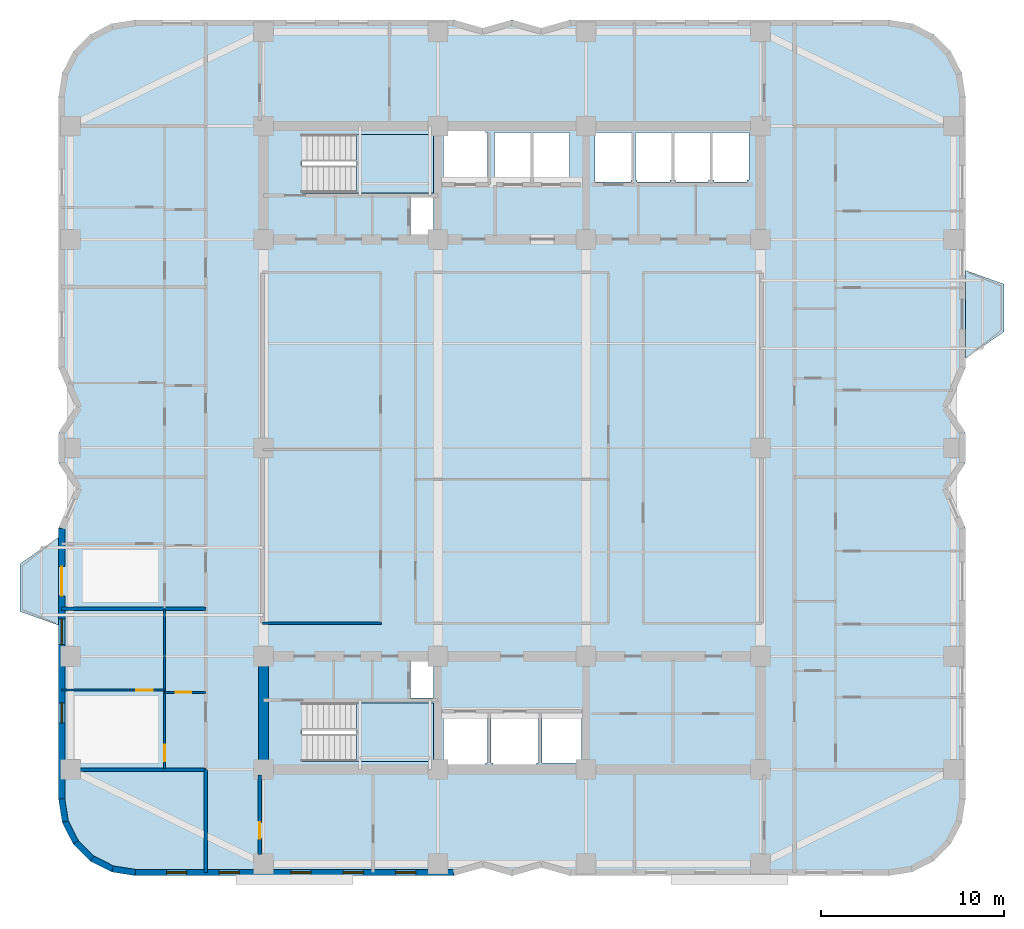
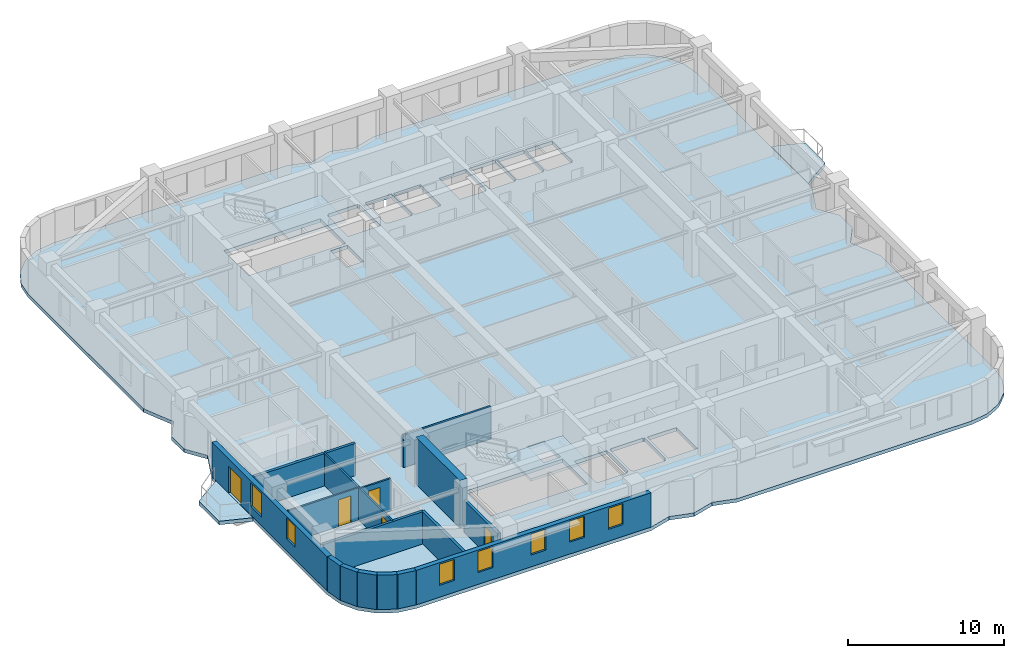
# One storey, part 2 of 10: 16 walls, 7 windows, 5 doors, 5 slabs, 12 openings, 2 elements without a shape of their own.
"""IFC4 building model written with IfcOpenShell, lengths in metres."""

from ifc_helpers import new_model, si_unit, direction, frame, frame_2d, origin, place, context, subcontext, project, spatial, polyline, rectangle, outline, extrude, material, layer, layer_set, type_object, element, fill, aggregate, save


model = new_model("IFC4")

# Units and contexts
model_context = context("Model", 3, precision=1e-05, world=origin(), true_north=direction((0.0, 1.0)))
body_context = subcontext(model_context, "Body", "Model", "MODEL_VIEW")
ifc_project = project(units=[si_unit("LENGTHUNIT", "METRE"), si_unit("AREAUNIT", "SQUARE_METRE"), si_unit("VOLUMEUNIT", "CUBIC_METRE"), si_unit("PLANEANGLEUNIT", "RADIAN"), si_unit("MASSUNIT", "GRAM", prefix="KILO")], contexts=[model_context])

# Site, building, storey
site_placement = place(None, origin())
site = spatial("IfcSite", under=ifc_project, at=site_placement, CompositionType="ELEMENT")
building_placement = place(site_placement, origin())
building = spatial("IfcBuilding", under=site, at=building_placement, Name="Svetorya Sky Lyceum", CompositionType="ELEMENT")
storey_placement = place(building_placement, frame((0.0, 0.0, 95.699951171875)))
storey = spatial("IfcBuildingStorey", under=building, at=storey_placement, Name="L23", CompositionType="ELEMENT", Elevation=95.699951171875)

# Slabs
ifc_material_1 = material(Name="Concrete C40/50", Category="concrete")
ifc_layer_1 = layer(ifc_material_1, 0.280029296875)
ifc_layer_set_1 = layer_set([ifc_layer_1], Name="Concrete C40/50")
slab_type_1 = type_object("IfcSlabType", Name="SL-BAL-280", PredefinedType="FLOOR", material=ifc_layer_set_1)
slab_1_placement = place(storey_placement, frame((0.0, 0.0, -0.280029296875)))
element("IfcSlab", 1, at=slab_1_placement, inside=storey, type_object=slab_type_1, Name="L23 Chamfered Loggia Balcony BAL-W1", PredefinedType="FLOOR", context=body_context, shape_type="SweptSolid", body=[
    extrude(outline(polyline([(14.389892578125, 18.5), (14.389892578125, 23.300048828125), (12.2900390625, 21.85009765625), (12.2900390625, 19.25), (14.389892578125, 18.5)])), origin(), (0.0, 0.0, 1.0), 0.280029296875),
])
slab_2_placement = place(storey_placement, frame((0.0, 0.0, -0.280029296875)))
element("IfcSlab", 2, at=slab_2_placement, inside=storey, type_object=slab_type_1, Name="L23 Chamfered Loggia Balcony BAL-E1", PredefinedType="FLOOR", context=body_context, shape_type="SweptSolid", body=[
    extrude(outline(polyline([(64.010009765625, 33.10009765625), (66.110107421875, 34.550048828125), (66.110107421875, 37.14990234375), (64.010009765625, 37.89990234375), (64.010009765625, 33.10009765625)])), origin(), (0.0, 0.0, 1.0), 0.280029296875),
])

# Stair, slab
stair_type_1 = type_object("IfcStairType", Name="STR-ST-S", PredefinedType="HALF_TURN_STAIR", material=ifc_material_1)
stair_1_placement = place(storey_placement, origin())
stair_1 = element("IfcStair", 3, at=stair_1_placement, inside=storey, type_object=stair_type_1, Name="L23 South Core Smoke-Free Exit Stair N2", PredefinedType="HALF_TURN_STAIR")
ifc_layer_2 = layer(ifc_material_1, 0.199951171875)
ifc_layer_set_2 = layer_set([ifc_layer_2], Name="Concrete C40/50")
slab_type_2 = type_object("IfcSlabType", Name="SL-STR-LAND-200", PredefinedType="LANDING", material=ifc_layer_set_2)
slab_3_placement = place(storey_placement, frame((0.0, 0.0, 1.650146484375)))
slab_3 = element("IfcSlab", 4, at=slab_3_placement, type_object=slab_type_2, Name="ST-S landing 1", PredefinedType="LANDING", context=body_context, shape_type="SweptSolid", body=[
    extrude(outline(polyline([(30.699951171875, 11.050048828125), (34.89990234375, 11.050048828125), (34.89990234375, 14.25), (30.699951171875, 14.25), (30.699951171875, 11.050048828125)])), origin(), (0.0, 0.0, 1.0), 0.199951171875),
])
aggregate(stair_1, [slab_3])

stair_type_2 = type_object("IfcStairType", Name="STR-ST-N", PredefinedType="HALF_TURN_STAIR", material=ifc_material_1)
stair_2_placement = place(storey_placement, origin())
stair_2 = element("IfcStair", 5, at=stair_2_placement, inside=storey, type_object=stair_type_2, Name="L23 North Core Smoke-Free Exit Stair N3", PredefinedType="HALF_TURN_STAIR")
slab_4_placement = place(storey_placement, frame((0.0, 0.0, 1.650146484375)))
slab_4 = element("IfcSlab", 6, at=slab_4_placement, type_object=slab_type_2, Name="ST-N landing 1", PredefinedType="LANDING", context=body_context, shape_type="SweptSolid", body=[
    extrude(outline(polyline([(30.699951171875, 42.14990234375), (34.89990234375, 42.14990234375), (34.89990234375, 45.35009765625), (30.699951171875, 45.35009765625), (30.699951171875, 42.14990234375)])), origin(), (0.0, 0.0, 1.0), 0.199951171875),
])
aggregate(stair_2, [slab_4])

# Slab
ifc_material_2 = material(Name="Concrete C50/60", Category="concrete")
ifc_layer_3 = layer(ifc_material_2, 0.280029296875)
ifc_layer_set_3 = layer_set([ifc_layer_3], Name="Concrete C50/60")
slab_type_3 = type_object("IfcSlabType", Name="SL-TWR-280", PredefinedType="FLOOR", material=ifc_layer_set_3)
slab_5_placement = place(storey_placement, frame((0.0, 0.0, -0.280029296875)))
element("IfcSlab", 7, at=slab_5_placement, inside=storey, type_object=slab_type_3, Name="L23 Structural Floor Slab", PredefinedType="FLOOR", context=body_context, shape_type="SweptSolid", body=[
    extrude(outline(polyline([(14.39990234375, 9.0), (14.605712890625, 7.7021484375), (15.2021484375, 6.53125), (16.13134765625, 5.60205078125), (17.302001953125, 5.005615234375), (18.60009765625, 4.800048828125), (36.0, 4.800048828125), (37.60009765625, 5.25), (39.199951171875, 4.800048828125), (40.800048828125, 5.25), (42.39990234375, 4.800048828125), (59.800048828125, 4.800048828125), (61.097900390625, 5.005615234375), (62.268798828125, 5.60205078125), (63.197998046875, 6.53125), (63.79443359375, 7.7021484375), (64.0, 9.0), (64.0, 23.800048828125), (63.050048828125, 26.0), (64.0, 27.39990234375), (64.0, 29.0), (63.050048828125, 30.39990234375), (64.0, 32.60009765625), (64.0, 47.39990234375), (63.79443359375, 48.697998046875), (63.197998046875, 49.86865234375), (62.268798828125, 50.7978515625), (61.097900390625, 51.394287109375), (59.800048828125, 51.60009765625), (42.39990234375, 51.60009765625), (40.800048828125, 51.14990234375), (39.199951171875, 51.60009765625), (37.60009765625, 51.14990234375), (36.0, 51.60009765625), (18.60009765625, 51.60009765625), (17.302001953125, 51.394287109375), (16.13134765625, 50.7978515625), (15.2021484375, 49.86865234375), (14.605712890625, 48.697998046875), (14.39990234375, 47.39990234375), (14.39990234375, 32.60009765625), (15.35009765625, 30.39990234375), (14.39990234375, 29.0), (14.39990234375, 27.39990234375), (15.35009765625, 26.0), (14.39990234375, 23.800048828125), (14.39990234375, 9.0)]), holes=[polyline([(37.85009765625, 10.949951171875), (37.75, 10.949951171875), (37.75, 10.85009765625), (35.550048828125, 10.85009765625), (35.550048828125, 10.949951171875), (35.449951171875, 10.949951171875), (35.449951171875, 13.64990234375), (35.550048828125, 13.64990234375), (37.75, 13.64990234375), (37.85009765625, 13.64990234375), (37.85009765625, 10.949951171875)]), polyline([(40.64990234375, 13.64990234375), (40.64990234375, 10.949951171875), (40.550048828125, 10.949951171875), (40.550048828125, 10.800048828125), (38.14990234375, 10.800048828125), (38.14990234375, 10.949951171875), (38.050048828125, 10.949951171875), (38.050048828125, 13.64990234375), (38.14990234375, 13.64990234375), (38.14990234375, 13.699951171875), (40.550048828125, 13.699951171875), (40.550048828125, 13.64990234375), (40.64990234375, 13.64990234375)]), polyline([(27.719970703125, 14.25), (34.89990234375, 14.25), (34.89990234375, 11.050048828125), (27.719970703125, 11.050048828125), (27.719970703125, 14.25)]), polyline([(33.64990234375, 14.52001953125), (33.64990234375, 16.580078125), (34.89990234375, 16.580078125), (34.89990234375, 14.52001953125), (33.64990234375, 14.52001953125)]), polyline([(33.64990234375, 41.89990234375), (34.89990234375, 41.89990234375), (34.89990234375, 39.820068359375), (33.64990234375, 39.820068359375), (33.64990234375, 41.89990234375)]), polyline([(27.719970703125, 45.35009765625), (34.89990234375, 45.35009765625), (34.89990234375, 42.14990234375), (27.719970703125, 42.14990234375), (27.719970703125, 45.35009765625)]), polyline([(37.75, 45.550048828125), (37.75, 45.449951171875), (37.85009765625, 45.449951171875), (37.85009765625, 42.75), (37.75, 42.75), (35.550048828125, 42.75), (35.449951171875, 42.75), (35.449951171875, 45.449951171875), (35.550048828125, 45.449951171875), (35.550048828125, 45.550048828125), (37.75, 45.550048828125)]), polyline([(38.39990234375, 42.85009765625), (38.25, 42.85009765625), (38.25, 45.449951171875), (38.39990234375, 45.449951171875), (40.199951171875, 45.449951171875), (40.25, 45.449951171875), (40.25, 42.85009765625), (40.199951171875, 42.85009765625), (40.199951171875, 42.75), (38.39990234375, 42.75), (38.39990234375, 42.85009765625)]), polyline([(40.85009765625, 13.64990234375), (43.0, 13.64990234375), (43.0, 10.949951171875), (40.85009765625, 10.949951171875), (40.85009765625, 13.64990234375)]), polyline([(40.39990234375, 42.85009765625), (40.35009765625, 42.85009765625), (40.35009765625, 45.449951171875), (40.39990234375, 45.449951171875), (42.300048828125, 45.449951171875), (42.35009765625, 45.449951171875), (42.35009765625, 42.85009765625), (42.300048828125, 42.85009765625), (42.300048828125, 42.75), (40.39990234375, 42.75), (40.39990234375, 42.85009765625)]), polyline([(43.75, 42.75), (43.75, 42.85009765625), (43.75, 45.449951171875), (45.699951171875, 45.449951171875), (45.75, 45.449951171875), (45.75, 42.85009765625), (45.699951171875, 42.85009765625), (45.699951171875, 42.75), (43.75, 42.75)]), polyline([(46.050048828125, 42.85009765625), (45.949951171875, 42.85009765625), (45.949951171875, 45.449951171875), (46.050048828125, 45.449951171875), (47.85009765625, 45.449951171875), (47.949951171875, 45.449951171875), (47.949951171875, 42.85009765625), (47.85009765625, 42.85009765625), (47.85009765625, 42.75), (46.050048828125, 42.75), (46.050048828125, 42.85009765625)]), polyline([(48.14990234375, 42.85009765625), (48.050048828125, 42.85009765625), (48.050048828125, 45.449951171875), (48.14990234375, 45.449951171875), (49.949951171875, 45.449951171875), (50.050048828125, 45.449951171875), (50.050048828125, 42.85009765625), (49.949951171875, 42.85009765625), (49.949951171875, 42.75), (48.14990234375, 42.75), (48.14990234375, 42.85009765625)]), polyline([(52.14990234375, 42.85009765625), (52.050048828125, 42.85009765625), (52.050048828125, 42.75), (50.25, 42.75), (50.25, 42.85009765625), (50.14990234375, 42.85009765625), (50.14990234375, 45.449951171875), (50.25, 45.449951171875), (52.050048828125, 45.449951171875), (52.14990234375, 45.449951171875), (52.14990234375, 42.85009765625)])]), origin(), (0.0, 0.0, 1.0), 0.280029296875),
])

# Walls
ifc_material_3 = material(Name="Concrete C60/75", Category="concrete")
ifc_layer_4 = layer(ifc_material_3, 0.550048828125)
ifc_layer_set_4 = layer_set([ifc_layer_4], Name="Concrete C60/75")
wall_type_1 = type_object("IfcWallType", Name="WL-CORE-550", PredefinedType="SHEAR", material=ifc_layer_set_4)
wall_1_placement = place(storey_placement, frame((25.60009765625, 10.875, 0.0), z_axis=(0.0, 0.0, 1.0), x_axis=(0.0, 1.0, 0.0)))
element("IfcWall", 8, at=wall_1_placement, inside=storey, type_object=wall_type_1, Name="L23 SC West Core Shear Wall", PredefinedType="SHEAR", context=body_context, shape_type="SweptSolid", body=[
    extrude(rectangle(XDim=5.64990234375, YDim=0.550048828125, at=frame_2d((2.824951171875, 0.0))), origin(), (0.0, 0.0, 1.0), 3.699951171875),
])
ifc_material_4 = material(Name="Putilovo limestone rainscreen on autoclaved cellular masonry", Category="masonry")
ifc_layer_5 = layer(ifc_material_4, 0.340087890625)
ifc_layer_set_5 = layer_set([ifc_layer_5], Name="Putilovo limestone rainscreen on autoclaved cellular masonry")
wall_type_2 = type_object("IfcWallType", Name="WL-EXT-340", PredefinedType="SOLIDWALL", material=ifc_layer_set_5)
wall_2_placement = place(storey_placement, frame((14.570068359375, 9.0, 0.0), z_axis=(0.0, 0.0, 1.0), x_axis=(0.156260864002, -0.98771582066, 0.0)))
element("IfcWall", 9, at=wall_2_placement, inside=storey, type_object=wall_type_2, Name="L23 Limestone Exterior Wall 1M", PredefinedType="SOLIDWALL", context=body_context, shape_type="SweptSolid", body=[
    extrude(rectangle(XDim=1.2607421875, YDim=0.340087890625, at=frame_2d((0.63037109375, 0.0))), origin(), (0.0, 0.0, 1.0), 2.699951171875),
])
wall_3_placement = place(storey_placement, frame((14.76708984375, 7.754638671875, 0.0), z_axis=(0.0, 0.0, 1.0), x_axis=(0.454015689056, -0.890993689142, 0.0)))
element("IfcWall", 10, at=wall_3_placement, inside=storey, type_object=wall_type_2, Name="L23 Limestone Exterior Wall 2M", PredefinedType="SOLIDWALL", context=body_context, shape_type="SweptSolid", body=[
    extrude(rectangle(XDim=1.260986328125, YDim=0.340087890625, at=frame_2d((0.63037109375, 0.0))), origin(), (0.0, 0.0, 1.0), 2.699951171875),
])
wall_4_placement = place(storey_placement, frame((15.339599609375, 6.631103515625, 0.0), z_axis=(0.0, 0.0, 1.0), x_axis=(0.707203598708, -0.707009950407, 0.0)))
element("IfcWall", 11, at=wall_4_placement, inside=storey, type_object=wall_type_2, Name="L23 Limestone Exterior Wall 3M", PredefinedType="SOLIDWALL", context=body_context, shape_type="SweptSolid", body=[
    extrude(rectangle(XDim=1.2607421875, YDim=0.340087890625, at=frame_2d((0.63037109375, 0.0))), origin(), (0.0, 0.0, 1.0), 2.699951171875),
])
for number, where, z_axis, x_axis, name in (
    (12, (16.231201171875, 5.73974609375, 0.0), (0.0, 0.0, 1.0), (0.890993689142, -0.454015689056, 0.0), "L23 Limestone Exterior Wall 4M"),
    (13, (17.354736328125, 5.167236328125, 0.0), (0.0, 0.0, 1.0), (0.987685918112, -0.15644975923, 0.0), "L23 Limestone Exterior Wall 5M"),
):
    element("IfcWall", number, at=place(storey_placement, frame(where, z_axis=z_axis, x_axis=x_axis)), inside=storey, type_object=wall_type_2, Name=name, PredefinedType="SOLIDWALL", context=body_context, shape_type="SweptSolid", body=[
        extrude(rectangle(XDim=1.260986328125, YDim=0.340087890625, at=frame_2d((0.63037109375, 0.0))), origin(), (0.0, 0.0, 1.0), 2.699951171875),
    ])

# Wall, openings, windows
wall_5_placement = place(storey_placement, frame((18.60009765625, 4.969970703125, 0.0), z_axis=(0.0, 0.0, 1.0), x_axis=(1.0, 0.0, 0.0)))
wall_5 = element("IfcWall", 14, at=wall_5_placement, inside=storey, type_object=wall_type_2, Name="L23 Limestone Exterior Wall 6M", PredefinedType="SOLIDWALL", context=body_context, shape_type="SweptSolid", body=[
    extrude(rectangle(XDim=17.39990234375, YDim=0.340087890625, at=frame_2d((8.699951171875, 0.0))), origin(), (0.0, 0.0, 1.0), 2.699951171875),
])
opening_1_placement = place(wall_5_placement, frame((1.7099609375, 0.0, 0.929931640625)))
opening_1 = element("IfcOpeningElement", 15, at=opening_1_placement, cuts=wall_5, Name="Opening W-R3", PredefinedType="OPENING", context=body_context, shape_type="SweptSolid", body=[
    extrude(rectangle(XDim=1.10009765625, YDim=1.64990234375, at=frame_2d((0.550048828125, 0.824951171875))), frame((0.0, 0.179931640625, 0.0), z_axis=(0.0, -1.0, 0.0), x_axis=(1.0, 0.0, 0.0)), (0.0, 0.0, 1.0), 0.360107421875),
])
opening_2_placement = place(wall_5_placement, frame((4.580078125, 0.0, 0.929931640625)))
opening_2 = element("IfcOpeningElement", 16, at=opening_2_placement, cuts=wall_5, Name="Opening W-R3", PredefinedType="OPENING", context=body_context, shape_type="SweptSolid", body=[
    extrude(rectangle(XDim=1.10009765625, YDim=1.64990234375, at=frame_2d((0.550048828125, 0.824951171875))), frame((0.0, 0.179931640625, 0.0), z_axis=(0.0, -1.0, 0.0), x_axis=(1.0, 0.0, 0.0)), (0.0, 0.0, 1.0), 0.360107421875),
])
opening_3_placement = place(wall_5_placement, frame((8.5, 0.0, 0.929931640625)))
opening_3 = element("IfcOpeningElement", 17, at=opening_3_placement, cuts=wall_5, Name="Opening W-R3", PredefinedType="OPENING", context=body_context, shape_type="SweptSolid", body=[
    extrude(rectangle(XDim=1.10009765625, YDim=1.64990234375, at=frame_2d((0.550048828125, 0.824951171875))), frame((0.0, 0.179931640625, 0.0), z_axis=(0.0, -1.0, 0.0), x_axis=(1.0, 0.0, 0.0)), (0.0, 0.0, 1.0), 0.360107421875),
])
opening_4_placement = place(wall_5_placement, frame((11.3701171875, 0.0, 0.929931640625)))
opening_4 = element("IfcOpeningElement", 18, at=opening_4_placement, cuts=wall_5, Name="Opening W-R3", PredefinedType="OPENING", context=body_context, shape_type="SweptSolid", body=[
    extrude(rectangle(XDim=1.10009765625, YDim=1.64990234375, at=frame_2d((0.550048828125, 0.824951171875))), frame((0.0, 0.179931640625, 0.0), z_axis=(0.0, -1.0, 0.0), x_axis=(1.0, 0.0, 0.0)), (0.0, 0.0, 1.0), 0.360107421875),
])
opening_5_placement = place(wall_5_placement, frame((14.239990234375, 0.0, 0.929931640625)))
opening_5 = element("IfcOpeningElement", 19, at=opening_5_placement, cuts=wall_5, Name="Opening W-R3", PredefinedType="OPENING", context=body_context, shape_type="SweptSolid", body=[
    extrude(rectangle(XDim=1.10009765625, YDim=1.64990234375, at=frame_2d((0.550048828125, 0.824951171875))), frame((0.0, 0.179931640625, 0.0), z_axis=(0.0, -1.0, 0.0), x_axis=(1.0, 0.0, 0.0)), (0.0, 0.0, 1.0), 0.360107421875),
])
ifc_material_5 = material(Name="Thermally broken aluminium frame with triple low-E glazing", Category="aluminium")
window_type_1 = type_object("IfcWindowType", Name="WN-RES-110", PartitioningType="SINGLE_PANEL", PredefinedType="WINDOW", material=ifc_material_5)
window_1_placement = place(opening_1_placement, origin())
window_1 = element("IfcWindow", 20, at=window_1_placement, inside=storey, type_object=window_type_1, Name="L23 Facade Window W-R3.6M.1", OverallHeight=1.64990234375, OverallWidth=1.10009765625, PartitioningType="SINGLE_PANEL", PredefinedType="WINDOW", context=body_context, shape_type="SweptSolid", body=[
    extrude(rectangle(XDim=1.10009765625, YDim=1.64990234375, at=frame_2d((0.550048828125, 0.824951171875))), frame((0.0, 0.030029296875, 0.0), z_axis=(0.0, -1.0, 0.0), x_axis=(1.0, 0.0, 0.0)), (0.0, 0.0, 1.0), 0.06005859375),
])
fill(opening_1, window_1)
window_2_placement = place(opening_2_placement, origin())
window_2 = element("IfcWindow", 21, at=window_2_placement, inside=storey, type_object=window_type_1, Name="L23 Facade Window W-R3.6M.2", OverallHeight=1.64990234375, OverallWidth=1.10009765625, PartitioningType="SINGLE_PANEL", PredefinedType="WINDOW", context=body_context, shape_type="SweptSolid", body=[
    extrude(rectangle(XDim=1.10009765625, YDim=1.64990234375, at=frame_2d((0.550048828125, 0.824951171875))), frame((0.0, 0.030029296875, 0.0), z_axis=(0.0, -1.0, 0.0), x_axis=(1.0, 0.0, 0.0)), (0.0, 0.0, 1.0), 0.06005859375),
])
fill(opening_2, window_2)
window_3_placement = place(opening_3_placement, origin())
window_3 = element("IfcWindow", 22, at=window_3_placement, inside=storey, type_object=window_type_1, Name="L23 Facade Window W-R3.6M.3", OverallHeight=1.64990234375, OverallWidth=1.10009765625, PartitioningType="SINGLE_PANEL", PredefinedType="WINDOW", context=body_context, shape_type="SweptSolid", body=[
    extrude(rectangle(XDim=1.10009765625, YDim=1.64990234375, at=frame_2d((0.550048828125, 0.824951171875))), frame((0.0, 0.030029296875, 0.0), z_axis=(0.0, -1.0, 0.0), x_axis=(1.0, 0.0, 0.0)), (0.0, 0.0, 1.0), 0.06005859375),
])
fill(opening_3, window_3)
window_4_placement = place(opening_4_placement, origin())
window_4 = element("IfcWindow", 23, at=window_4_placement, inside=storey, type_object=window_type_1, Name="L23 Facade Window W-R3.6M.4", OverallHeight=1.64990234375, OverallWidth=1.10009765625, PartitioningType="SINGLE_PANEL", PredefinedType="WINDOW", context=body_context, shape_type="SweptSolid", body=[
    extrude(rectangle(XDim=1.10009765625, YDim=1.64990234375, at=frame_2d((0.550048828125, 0.824951171875))), frame((0.0, 0.030029296875, 0.0), z_axis=(0.0, -1.0, 0.0), x_axis=(1.0, 0.0, 0.0)), (0.0, 0.0, 1.0), 0.06005859375),
])
fill(opening_4, window_4)
window_5_placement = place(opening_5_placement, origin())
window_5 = element("IfcWindow", 24, at=window_5_placement, inside=storey, type_object=window_type_1, Name="L23 Facade Window W-R3.6M.5", OverallHeight=1.64990234375, OverallWidth=1.10009765625, PartitioningType="SINGLE_PANEL", PredefinedType="WINDOW", context=body_context, shape_type="SweptSolid", body=[
    extrude(rectangle(XDim=1.10009765625, YDim=1.64990234375, at=frame_2d((0.550048828125, 0.824951171875))), frame((0.0, 0.030029296875, 0.0), z_axis=(0.0, -1.0, 0.0), x_axis=(1.0, 0.0, 0.0)), (0.0, 0.0, 1.0), 0.06005859375),
])
fill(opening_5, window_5)

# Wall, openings, door, windows
wall_6_placement = place(storey_placement, frame((14.570068359375, 23.800048828125, 0.0), z_axis=(0.0, 0.0, 1.0), x_axis=(0.0, -1.0, 0.0)))
wall_6 = element("IfcWall", 25, at=wall_6_placement, inside=storey, type_object=wall_type_2, Name="L23 Limestone Exterior Wall 46M", PredefinedType="SOLIDWALL", context=body_context, shape_type="SweptSolid", body=[
    extrude(rectangle(XDim=14.800048828125, YDim=0.340087890625, at=frame_2d((7.39990234375, 0.0))), origin(), (0.0, 0.0, 1.0), 2.699951171875),
])
opening_6_placement = place(wall_6_placement, frame((2.10009765625, 0.0, 0.0)))
opening_6 = element("IfcOpeningElement", 26, at=opening_6_placement, cuts=wall_6, Name="Opening D-BL1", PredefinedType="OPENING", context=body_context, shape_type="SweptSolid", body=[
    extrude(rectangle(XDim=1.60009765625, YDim=2.10009765625, at=frame_2d((0.800048828125, 1.050048828125))), frame((0.0, 0.179931640625, 0.0), z_axis=(0.0, -1.0, 0.0), x_axis=(1.0, 0.0, 0.0)), (0.0, 0.0, 1.0), 0.360107421875),
])
opening_7_placement = place(wall_6_placement, frame((4.9599609375, 0.0, 0.68994140625)))
opening_7 = element("IfcOpeningElement", 27, at=opening_7_placement, cuts=wall_6, Name="Opening W-R2", PredefinedType="OPENING", context=body_context, shape_type="SweptSolid", body=[
    extrude(rectangle(XDim=1.39990234375, YDim=1.85009765625, at=frame_2d((0.699951171875, 0.925048828125))), frame((0.0, 0.179931640625, 0.0), z_axis=(0.0, -1.0, 0.0), x_axis=(1.0, 0.0, 0.0)), (0.0, 0.0, 1.0), 0.360107421875),
])
opening_8_placement = place(wall_6_placement, frame((9.550048828125, 0.0, 0.929931640625)))
opening_8 = element("IfcOpeningElement", 28, at=opening_8_placement, cuts=wall_6, Name="Opening W-R3", PredefinedType="OPENING", context=body_context, shape_type="SweptSolid", body=[
    extrude(rectangle(XDim=1.10009765625, YDim=1.64990234375, at=frame_2d((0.550048828125, 0.824951171875))), frame((0.0, 0.179931640625, 0.0), z_axis=(0.0, -1.0, 0.0), x_axis=(1.0, 0.0, 0.0)), (0.0, 0.0, 1.0), 0.360107421875),
])
ifc_material_6 = material(Name="Insulated glazed aluminium balcony door", Category="aluminium")
door_type_1 = type_object("IfcDoorType", Name="DR-BAL-1600", OperationType="DOUBLE_DOOR_SINGLE_SWING", PredefinedType="DOOR", material=ifc_material_6)
door_1_placement = place(opening_6_placement, origin())
door_1 = element("IfcDoor", 29, at=door_1_placement, inside=storey, type_object=door_type_1, Name="L23 Balcony BAL-W1 Door", OperationType="DOUBLE_DOOR_SINGLE_SWING", OverallHeight=2.10009765625, OverallWidth=1.60009765625, PredefinedType="DOOR", context=body_context, shape_type="SweptSolid", body=[
    extrude(rectangle(XDim=1.60009765625, YDim=2.10009765625, at=frame_2d((0.800048828125, 1.050048828125))), frame((0.0, 0.02490234375, 0.0), z_axis=(0.0, -1.0, 0.0), x_axis=(1.0, 0.0, 0.0)), (0.0, 0.0, 1.0), 0.050048828125),
])
fill(opening_6, door_1)
window_6_placement = place(opening_8_placement, origin())
window_6 = element("IfcWindow", 30, at=window_6_placement, inside=storey, type_object=window_type_1, Name="L23 Facade Window W-R3.46M.1", OverallHeight=1.64990234375, OverallWidth=1.10009765625, PartitioningType="SINGLE_PANEL", PredefinedType="WINDOW", context=body_context, shape_type="SweptSolid", body=[
    extrude(rectangle(XDim=1.10009765625, YDim=1.64990234375, at=frame_2d((0.550048828125, 0.824951171875))), frame((0.0, 0.030029296875, 0.0), z_axis=(0.0, -1.0, 0.0), x_axis=(1.0, 0.0, 0.0)), (0.0, 0.0, 1.0), 0.06005859375),
])
fill(opening_8, window_6)
window_type_2 = type_object("IfcWindowType", Name="WN-RES-140", PartitioningType="SINGLE_PANEL", PredefinedType="WINDOW", material=ifc_material_5)
window_7_placement = place(opening_7_placement, origin())
window_7 = element("IfcWindow", 31, at=window_7_placement, inside=storey, type_object=window_type_2, Name="L23 Facade Window W-R2.46M.2", OverallHeight=1.85009765625, OverallWidth=1.39990234375, PartitioningType="SINGLE_PANEL", PredefinedType="WINDOW", context=body_context, shape_type="SweptSolid", body=[
    extrude(rectangle(XDim=1.39990234375, YDim=1.85009765625, at=frame_2d((0.699951171875, 0.925048828125))), frame((0.0, 0.030029296875, 0.0), z_axis=(0.0, -1.0, 0.0), x_axis=(1.0, 0.0, 0.0)), (0.0, 0.0, 1.0), 0.06005859375),
])
fill(opening_7, window_7)

# Wall, opening, door
ifc_material_7 = material(Name="Twin-stud galvanized framing with double fireboard", Category="gypsum")
ifc_layer_6 = layer(ifc_material_7, 0.1201171875)
ifc_layer_set_6 = layer_set([ifc_layer_6], Name="Twin-stud galvanized framing with double fireboard")
wall_type_3 = type_object("IfcWallType", Name="WL-PART-120", PredefinedType="PARTITIONING", material=ifc_layer_set_6)
wall_7_placement = place(storey_placement, frame((20.199951171875, 14.820068359375, 0.0), z_axis=(0.0, 0.0, 1.0), x_axis=(1.0, 0.0, 0.0)))
wall_7 = element("IfcWall", 32, at=wall_7_placement, inside=storey, type_object=wall_type_3, Name="L23 Interior Partition W1-WH1", PredefinedType="PARTITIONING", context=body_context, shape_type="SweptSolid", body=[
    extrude(rectangle(XDim=2.25, YDim=0.1201171875, at=frame_2d((1.125, 0.0))), origin(), (0.0, 0.0, 1.0), 2.530029296875),
])
opening_9_placement = place(wall_7_placement, frame((0.60009765625, 0.0, 0.0)))
opening_9 = element("IfcOpeningElement", 33, at=opening_9_placement, cuts=wall_7, Name="Opening D-BT1", PredefinedType="OPENING", context=body_context, shape_type="SweptSolid", body=[
    extrude(rectangle(XDim=0.85009765625, YDim=2.10009765625, at=frame_2d((0.425048828125, 1.050048828125))), frame((0.0, 0.070068359375, 0.0), z_axis=(0.0, -1.0, 0.0), x_axis=(1.0, 0.0, 0.0)), (0.0, 0.0, 1.0), 0.14013671875),
])
ifc_material_8 = material(Name="Moisture-resistant laminate bathroom door")
door_type_2 = type_object("IfcDoorType", Name="DR-WET-850", OperationType="SINGLE_SWING_LEFT", PredefinedType="DOOR", material=ifc_material_8)
door_2_placement = place(opening_9_placement, origin())
door_2 = element("IfcDoor", 34, at=door_2_placement, inside=storey, type_object=door_type_2, Name="Apartment W1 Bathroom Door", OperationType="SINGLE_SWING_LEFT", OverallHeight=2.10009765625, OverallWidth=0.85009765625, PredefinedType="DOOR", context=body_context, shape_type="SweptSolid", body=[
    extrude(rectangle(XDim=0.85009765625, YDim=2.10009765625, at=frame_2d((0.425048828125, 1.050048828125))), frame((0.0, 0.02490234375, 0.0), z_axis=(0.0, -1.0, 0.0), x_axis=(1.0, 0.0, 0.0)), (0.0, 0.0, 1.0), 0.050048828125),
])
fill(opening_9, door_2)

wall_8_placement = place(storey_placement, frame((14.570068359375, 14.949951171875, 0.0), z_axis=(0.0, 0.0, 1.0), x_axis=(1.0, 0.0, 0.0)))
wall_8 = element("IfcWall", 35, at=wall_8_placement, inside=storey, type_object=wall_type_3, Name="L23 Interior Partition W1-WL1", PredefinedType="PARTITIONING", context=body_context, shape_type="SweptSolid", body=[
    extrude(rectangle(XDim=5.6298828125, YDim=0.1201171875, at=frame_2d((2.81494140625, 0.0))), origin(), (0.0, 0.0, 1.0), 2.530029296875),
])
opening_10_placement = place(wall_8_placement, frame((4.080078125, 0.0, 0.0)))
opening_10 = element("IfcOpeningElement", 36, at=opening_10_placement, cuts=wall_8, Name="Opening D-RM1", PredefinedType="OPENING", context=body_context, shape_type="SweptSolid", body=[
    extrude(rectangle(XDim=0.89990234375, YDim=2.10009765625, at=frame_2d((0.449951171875, 1.050048828125))), frame((0.0, 0.070068359375, 0.0), z_axis=(0.0, -1.0, 0.0), x_axis=(1.0, 0.0, 0.0)), (0.0, 0.0, 1.0), 0.14013671875),
])
ifc_material_9 = material(Name="Lacquered birch veneer internal door")
door_type_3 = type_object("IfcDoorType", Name="DR-INT-900", OperationType="SINGLE_SWING_LEFT", PredefinedType="DOOR", material=ifc_material_9)
door_3_placement = place(opening_10_placement, origin())
door_3 = element("IfcDoor", 37, at=door_3_placement, inside=storey, type_object=door_type_3, Name="Apartment W1 Bedroom 1 Door", OperationType="SINGLE_SWING_LEFT", OverallHeight=2.10009765625, OverallWidth=0.89990234375, PredefinedType="DOOR", context=body_context, shape_type="SweptSolid", body=[
    extrude(rectangle(XDim=0.89990234375, YDim=2.10009765625, at=frame_2d((0.449951171875, 1.050048828125))), frame((0.0, 0.02490234375, 0.0), z_axis=(0.0, -1.0, 0.0), x_axis=(1.0, 0.0, 0.0)), (0.0, 0.0, 1.0), 0.050048828125),
])
fill(opening_10, door_3)

wall_9_placement = place(storey_placement, frame((20.199951171875, 10.639892578125, 0.0), z_axis=(0.0, 0.0, 1.0), x_axis=(0.0, 1.0, 0.0)))
wall_9 = element("IfcWall", 38, at=wall_9_placement, inside=storey, type_object=wall_type_3, Name="L23 Interior Partition W1-WV", PredefinedType="PARTITIONING", context=body_context, shape_type="SweptSolid", body=[
    extrude(rectangle(XDim=8.72021484375, YDim=0.1201171875, at=frame_2d((4.360107421875, 0.0))), origin(), (0.0, 0.0, 1.0), 2.530029296875),
])
opening_11_placement = place(wall_9_placement, frame((0.409912109375, 0.0, 0.0)))
opening_11 = element("IfcOpeningElement", 39, at=opening_11_placement, cuts=wall_9, Name="Opening D-RM1", PredefinedType="OPENING", context=body_context, shape_type="SweptSolid", body=[
    extrude(rectangle(XDim=0.89990234375, YDim=2.10009765625, at=frame_2d((0.449951171875, 1.050048828125))), frame((0.0, 0.070068359375, 0.0), z_axis=(0.0, -1.0, 0.0), x_axis=(1.0, 0.0, 0.0)), (0.0, 0.0, 1.0), 0.14013671875),
])
door_4_placement = place(opening_11_placement, origin())
door_4 = element("IfcDoor", 40, at=door_4_placement, inside=storey, type_object=door_type_3, Name="Apartment W1 Living Door", OperationType="SINGLE_SWING_RIGHT", OverallHeight=2.10009765625, OverallWidth=0.89990234375, PredefinedType="DOOR", context=body_context, shape_type="SweptSolid", body=[
    extrude(rectangle(XDim=0.89990234375, YDim=2.10009765625, at=frame_2d((0.449951171875, 1.050048828125))), frame((0.0, 0.02490234375, 0.0), z_axis=(0.0, -1.0, 0.0), x_axis=(1.0, 0.0, 0.0)), (0.0, 0.0, 1.0), 0.050048828125),
])
fill(opening_11, door_4)

# Walls
ifc_material_10 = material(Name="Autoclaved cellular masonry blockwork with acoustic render", Category="masonry")
ifc_layer_7 = layer(ifc_material_10, 0.14990234375)
ifc_layer_set_7 = layer_set([ifc_layer_7], Name="Autoclaved cellular masonry blockwork with acoustic render")
wall_type_4 = type_object("IfcWallType", Name="WL-PART-150", PredefinedType="PARTITIONING", material=ifc_layer_set_7)
wall_10_placement = place(storey_placement, frame((25.550048828125, 18.60009765625, 0.0), z_axis=(0.0, 0.0, 1.0), x_axis=(1.0, 0.0, 0.0)))
element("IfcWall", 41, at=wall_10_placement, inside=storey, type_object=wall_type_4, Name="L23 Interior Partition RL-CS-W", PredefinedType="PARTITIONING", context=body_context, shape_type="SweptSolid", body=[
    extrude(rectangle(XDim=6.5, YDim=0.14990234375, at=frame_2d((3.25, 0.0))), origin(), (0.0, 0.0, 1.0), 2.530029296875),
])
ifc_material_11 = material(Name="Autoclaved cellular masonry blockwork with gypsum plaster", Category="masonry")
ifc_layer_8 = layer(ifc_material_11, 0.199951171875)
ifc_layer_set_8 = layer_set([ifc_layer_8], Name="Autoclaved cellular masonry blockwork with gypsum plaster")
wall_type_5 = type_object("IfcWallType", Name="WL-PART-200", PredefinedType="PARTITIONING", material=ifc_layer_set_8)
wall_11_placement = place(storey_placement, frame((14.570068359375, 19.39990234375, 0.0), z_axis=(0.0, 0.0, 1.0), x_axis=(1.0, 0.0, 0.0)))
element("IfcWall", 42, at=wall_11_placement, inside=storey, type_object=wall_type_5, Name="L23 Interior Partition W-PARTY-1", PredefinedType="PARTITIONING", context=body_context, shape_type="SweptSolid", body=[
    extrude(rectangle(XDim=7.8798828125, YDim=0.199951171875, at=frame_2d((3.93994140625, 0.0))), origin(), (0.0, 0.0, 1.0), 2.530029296875),
])
wall_12_placement = place(storey_placement, frame((14.989990234375, 10.60009765625, 0.0), z_axis=(0.0, 0.0, 1.0), x_axis=(1.0, 0.0, 0.0)))
element("IfcWall", 43, at=wall_12_placement, inside=storey, type_object=wall_type_5, Name="L23 Interior Partition W-CAP-S", PredefinedType="PARTITIONING", context=body_context, shape_type="SweptSolid", body=[
    extrude(rectangle(XDim=7.4599609375, YDim=0.199951171875, at=frame_2d((3.72998046875, 0.0))), origin(), (0.0, 0.0, 1.0), 2.530029296875),
])
wall_13_placement = place(storey_placement, frame((22.449951171875, 4.969970703125, 0.0), z_axis=(0.0, 0.0, 1.0), x_axis=(0.0, 1.0, 0.0)))
element("IfcWall", 44, at=wall_13_placement, inside=storey, type_object=wall_type_5, Name="L23 Interior Partition WC-SW-END", PredefinedType="PARTITIONING", context=body_context, shape_type="SweptSolid", body=[
    extrude(rectangle(XDim=5.630126953125, YDim=0.199951171875, at=frame_2d((2.81494140625, 0.0))), origin(), (0.0, 0.0, 1.0), 2.530029296875),
])

# Wall, opening, door
wall_14_placement = place(storey_placement, frame((25.39990234375, 5.969970703125, 0.0), z_axis=(0.0, 0.0, 1.0), x_axis=(0.0, 1.0, 0.0)))
wall_14 = element("IfcWall", 45, at=wall_14_placement, inside=storey, type_object=wall_type_5, Name="L23 Interior Partition S-EW", PredefinedType="PARTITIONING", context=body_context, shape_type="SweptSolid", body=[
    extrude(rectangle(XDim=4.330078125, YDim=0.199951171875, at=frame_2d((2.1650390625, 0.0))), origin(), (0.0, 0.0, 1.0), 2.530029296875),
])
opening_12_placement = place(wall_14_placement, frame((0.85009765625, 0.0, 0.0)))
opening_12 = element("IfcOpeningElement", 46, at=opening_12_placement, cuts=wall_14, Name="Opening D-RM1", PredefinedType="OPENING", context=body_context, shape_type="SweptSolid", body=[
    extrude(rectangle(XDim=0.89990234375, YDim=2.10009765625, at=frame_2d((0.449951171875, 1.050048828125))), frame((0.0, 0.10986328125, 0.0), z_axis=(0.0, -1.0, 0.0), x_axis=(1.0, 0.0, 0.0)), (0.0, 0.0, 1.0), 0.219970703125),
])
door_5_placement = place(opening_12_placement, origin())
door_5 = element("IfcDoor", 47, at=door_5_placement, inside=storey, type_object=door_type_3, Name="L23 South Study Door", OperationType="SINGLE_SWING_LEFT", OverallHeight=2.10009765625, OverallWidth=0.89990234375, PredefinedType="DOOR", context=body_context, shape_type="SweptSolid", body=[
    extrude(rectangle(XDim=0.89990234375, YDim=2.10009765625, at=frame_2d((0.449951171875, 1.050048828125))), frame((0.0, 0.02490234375, 0.0), z_axis=(0.0, -1.0, 0.0), x_axis=(1.0, 0.0, 0.0)), (0.0, 0.0, 1.0), 0.050048828125),
])
fill(opening_12, door_5)

save(model, "model.ifc")
